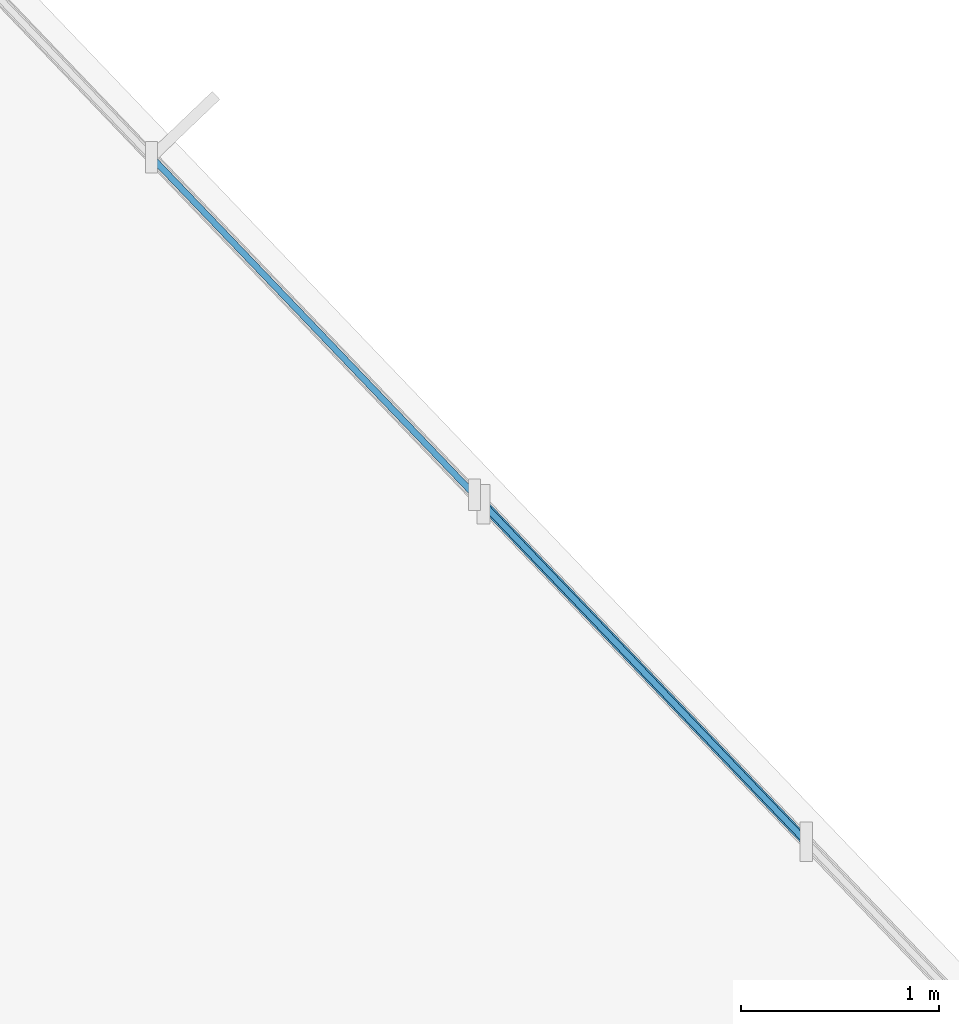
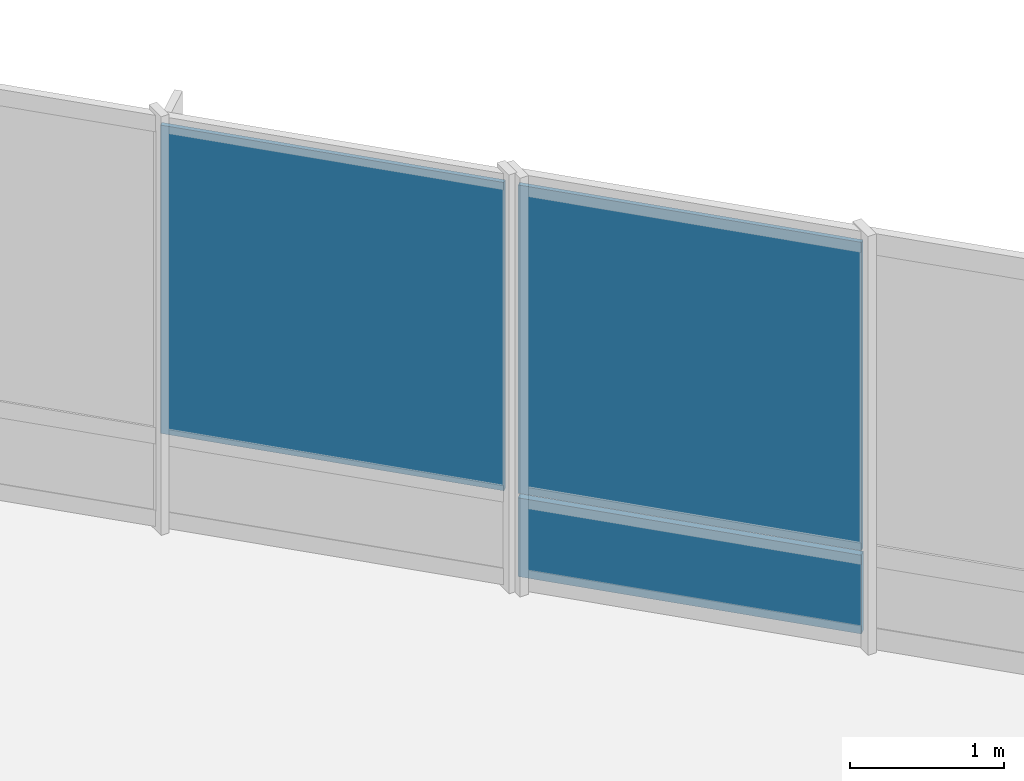
# One storey, part 36 of 52: 3 plates, 2 elements without a shape of their own.
"""IFC4 building model written with IfcOpenShell, lengths in metres."""

from ifc_helpers import new_model, si_unit, direction, frame, frame_2d, origin, place, context, subcontext, project, spatial, rectangle, extrude, material, layer, layer_set, type_object, element, aggregate, save


model = new_model("IFC4")

# Units and contexts
model_context = context("Model", 3, precision=1e-05, world=origin(), true_north=direction((0.0, 1.0)))
body_context = subcontext(model_context, "Body", "Model", "MODEL_VIEW")
ifc_project = project(units=[si_unit("LENGTHUNIT", "METRE"), si_unit("AREAUNIT", "SQUARE_METRE"), si_unit("VOLUMEUNIT", "CUBIC_METRE"), si_unit("PLANEANGLEUNIT", "RADIAN"), si_unit("MASSUNIT", "GRAM", prefix="KILO")], contexts=[model_context])

# Site, building, storey
site_placement = place(None, origin())
site = spatial("IfcSite", under=ifc_project, at=site_placement, CompositionType="ELEMENT")
building_placement = place(site_placement, origin())
building = spatial("IfcBuilding", under=site, at=building_placement, Name="Clarverna Civic Hall", CompositionType="ELEMENT")
storey_placement = place(building_placement, frame((0.0, 0.0, 16.800048828125)))
storey = spatial("IfcBuildingStorey", under=building, at=storey_placement, Name="L04", CompositionType="ELEMENT", Elevation=16.800048828125)

# Curtain wall, plate
ifc_material_1 = material(Name="Anodised Bronze Architectural Aluminium", Category="aluminium")
curtain_wall_type = type_object("IfcCurtainWallType", Name="CW-01", PredefinedType="USERDEFINED", material=ifc_material_1)
curtain_wall_1_placement = place(storey_placement, origin())
curtain_wall_1 = element("IfcCurtainWall", 1, at=curtain_wall_1_placement, inside=storey, type_object=curtain_wall_type, Name="CW-01-088", ObjectType="UNITISED CURTAIN WALL", PredefinedType="USERDEFINED")
ifc_material_2 = material(Name="Solar-Control Argon Low-E Double Glazing", Category="glass")
ifc_layer_1 = layer(ifc_material_2, 0.031982421875)
ifc_layer_set_1 = layer_set([ifc_layer_1], Name="Solar-Control Argon Low-E Double Glazing")
plate_type_1 = type_object("IfcPlateType", Name="CWP-01", PredefinedType="CURTAIN_PANEL", material=ifc_layer_set_1)
plate_1_placement = place(storey_placement, frame((159.6591796875, 110.71728515625, 0.764892578125), z_axis=(0.0, 0.0, 1.0), x_axis=(0.691227416228, -0.72263729426, 0.0)))
plate_1 = element("IfcPlate", 2, at=plate_1_placement, type_object=plate_type_1, Name="CWP-01-507", PredefinedType="CURTAIN_PANEL", context=body_context, shape_type="SweptSolid", body=[
    extrude(rectangle(XDim=2.323974609375, YDim=0.031982421875, at=frame_2d((1.162109375, 0.0))), origin(), (0.0, 0.0, 1.0), 2.445068359375),
])
aggregate(curtain_wall_1, [plate_1])

# Curtain wall, plates
curtain_wall_2_placement = place(storey_placement, origin())
curtain_wall_2 = element("IfcCurtainWall", 3, at=curtain_wall_2_placement, inside=storey, type_object=curtain_wall_type, Name="CW-01-089", ObjectType="UNITISED CURTAIN WALL", PredefinedType="USERDEFINED")
plate_2_placement = place(storey_placement, frame((161.33203125, 108.968505859375, 0.764892578125), z_axis=(0.0, 0.0, 1.0), x_axis=(0.691227416228, -0.72263729426, 0.0)))
plate_2 = element("IfcPlate", 4, at=plate_2_placement, type_object=plate_type_1, Name="CWP-01-508", PredefinedType="CURTAIN_PANEL", context=body_context, shape_type="SweptSolid", body=[
    extrude(rectangle(XDim=2.323974609375, YDim=0.031982421875, at=frame_2d((1.162109375, 0.0))), origin(), (0.0, 0.0, 1.0), 2.445068359375),
])
ifc_material_3 = material(Name="Insulated Anodised Bronze Spandrel Panel", Category="aluminium")
ifc_layer_2 = layer(ifc_material_3, 0.048095703125)
ifc_layer_set_2 = layer_set([ifc_layer_2], Name="Insulated Anodised Bronze Spandrel Panel")
plate_type_2 = type_object("IfcPlateType", Name="CWP-03", PredefinedType="CURTAIN_PANEL", material=ifc_layer_set_2)
plate_3_placement = place(storey_placement, frame((161.33203125, 108.968505859375, 0.10986328125), z_axis=(0.0, 0.0, 1.0), x_axis=(0.691227416228, -0.72263729426, 0.0)))
plate_3 = element("IfcPlate", 5, at=plate_3_placement, type_object=plate_type_2, Name="CWP-03-510", PredefinedType="CURTAIN_PANEL", context=body_context, shape_type="SweptSolid", body=[
    extrude(rectangle(XDim=2.323974609375, YDim=0.048095703125, at=frame_2d((1.162109375, 0.0))), origin(), (0.0, 0.0, 1.0), 0.625),
])
aggregate(curtain_wall_2, [plate_3, plate_2])

save(model, "model.ifc")
